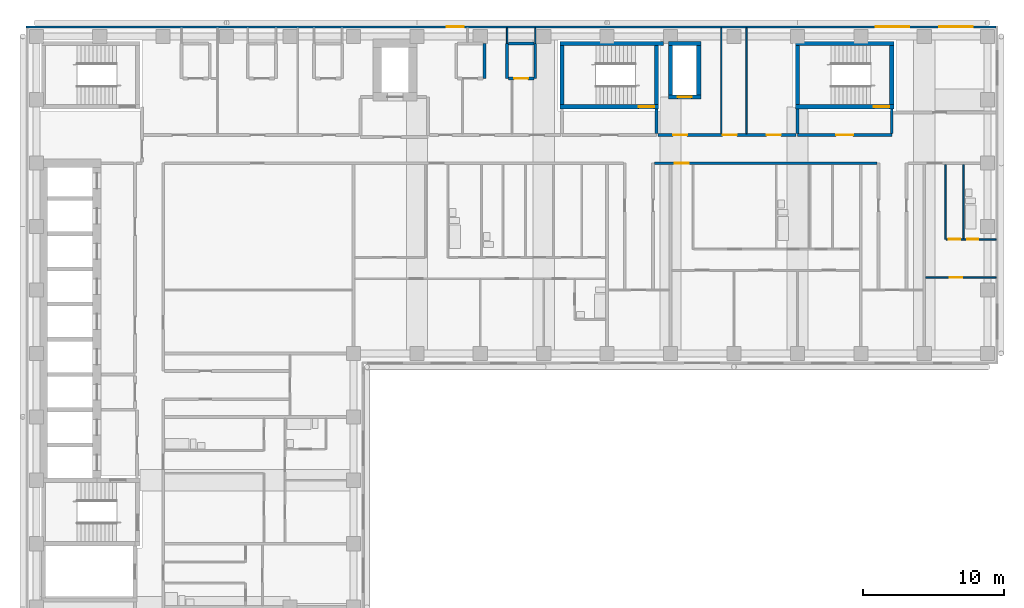
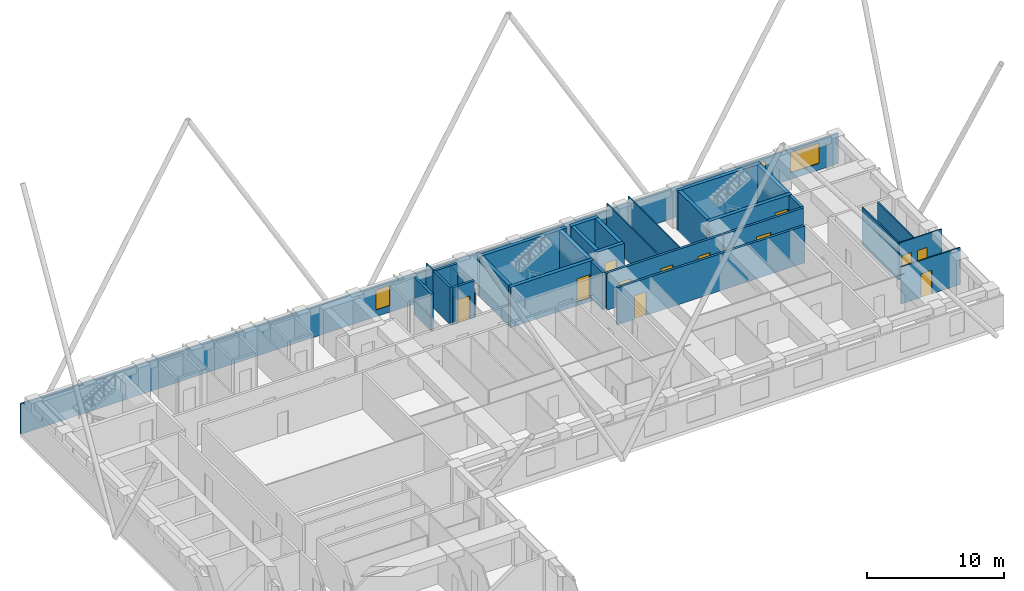
# One storey, part 9 of 13: 32 walls, 12 doors, 3 windows, 15 openings.
"""IFC4 building model written with IfcOpenShell, lengths in metres."""

from ifc_helpers import new_model, si_unit, direction, frame, frame_2d, origin, place, context, subcontext, project, spatial, rectangle, extrude, material, layer, layer_set, type_object, element, fill, save


model = new_model("IFC4")

# Units and contexts
model_context = context("Model", 3, precision=1e-05, world=origin(), true_north=direction((0.0, 1.0)))
body_context = subcontext(model_context, "Body", "Model", "MODEL_VIEW")
ifc_project = project(units=[si_unit("LENGTHUNIT", "METRE"), si_unit("AREAUNIT", "SQUARE_METRE"), si_unit("VOLUMEUNIT", "CUBIC_METRE"), si_unit("PLANEANGLEUNIT", "RADIAN"), si_unit("MASSUNIT", "GRAM", prefix="KILO")], contexts=[model_context])

# Site, building, storey
site_placement = place(None, origin())
site = spatial("IfcSite", under=ifc_project, at=site_placement, CompositionType="ELEMENT")
building_placement = place(site_placement, origin())
building = spatial("IfcBuilding", under=site, at=building_placement, Name="Firuza Court", CompositionType="ELEMENT")
storey_placement = place(building_placement, frame((0.0, 0.0, 162.800048828125)))
storey = spatial("IfcBuildingStorey", under=building, at=storey_placement, Name="L41", CompositionType="ELEMENT", Elevation=162.800048828125)

# Wall
ifc_material_1 = material(Name="Moisture-resistant gypsum board partition")
ifc_layer_1 = layer(ifc_material_1, 0.10009765625)
ifc_layer_set_1 = layer_set([ifc_layer_1], Name="Moisture-resistant gypsum board partition")
wall_type_1 = type_object("IfcWallType", Name="Bathroom partition 100", PredefinedType="PLUMBINGWALL", material=ifc_layer_set_1)
wall_1_placement = place(storey_placement, frame((65.800048828125, 44.14990234375, 0.0), z_axis=(0.0, 0.0, 1.0), x_axis=(0.0, 1.0, 0.0)))
element("IfcWall", 1, at=wall_1_placement, inside=storey, type_object=wall_type_1, Name="Bathroom partition 100 L41", PredefinedType="PLUMBINGWALL", context=body_context, shape_type="SweptSolid", body=[
    extrude(rectangle(XDim=5.25, YDim=0.10009765625, at=frame_2d((2.625, 0.0))), origin(), (0.0, 0.0, 1.0), 3.300048828125),
])

# Wall, opening, door
ifc_material_2 = material(Name="Concrete C60/75", Category="concrete")
ifc_layer_2 = layer(ifc_material_2, 0.300048828125)
ifc_layer_set_2 = layer_set([ifc_layer_2], Name="Concrete C60/75")
wall_type_2 = type_object("IfcWallType", Name="Core wall 300 C60/75", PredefinedType="SHEAR", material=ifc_layer_set_2)
wall_2_placement = place(storey_placement, frame((37.14990234375, 53.5, -0.300048828125), z_axis=(0.0, 0.0, 1.0), x_axis=(1.0, 0.0, 0.0)))
wall_2 = element("IfcWall", 2, at=wall_2_placement, inside=storey, type_object=wall_type_2, Name="Core wall stair L41", PredefinedType="SHEAR", context=body_context, shape_type="SweptSolid", body=[
    extrude(rectangle(XDim=7.0, YDim=0.300048828125, at=frame_2d((3.5, 0.0))), origin(), (0.0, 0.0, 1.0), 3.60009765625),
])
opening_1_placement = place(wall_2_placement, frame((5.580078125, 0.0, 0.300048828125)))
opening_1 = element("IfcOpeningElement", 3, at=opening_1_placement, cuts=wall_2, Name="Opening D41012", PredefinedType="OPENING", context=body_context, shape_type="SweptSolid", body=[
    extrude(rectangle(XDim=1.10009765625, YDim=2.10009765625, at=frame_2d((0.550048828125, 1.050048828125))), frame((0.0, 0.162109375, 0.0), z_axis=(0.0, -1.0, 0.0), x_axis=(1.0, 0.0, 0.0)), (0.0, 0.0, 1.0), 0.323974609375),
])
ifc_material_3 = material(Name="Timber door leaf in hardwood frame", Category="wood")
door_type_1 = type_object("IfcDoorType", Name="Stair door 1100", OperationType="SINGLE_SWING_LEFT", PredefinedType="DOOR", material=ifc_material_3)
door_1_placement = place(opening_1_placement, origin())
door_1 = element("IfcDoor", 4, at=door_1_placement, inside=storey, type_object=door_type_1, Name="Stair door S1", OperationType="SINGLE_SWING_RIGHT", OverallHeight=2.10009765625, OverallWidth=1.10009765625, PredefinedType="DOOR", context=body_context, shape_type="SweptSolid", body=[
    extrude(rectangle(XDim=1.10009765625, YDim=2.10009765625, at=frame_2d((0.550048828125, 1.050048828125))), frame((0.0, 0.02490234375, 0.0), z_axis=(0.0, -1.0, 0.0), x_axis=(1.0, 0.0, 0.0)), (0.0, 0.0, 1.0), 0.050048828125),
])
fill(opening_1, door_1)

# Walls
wall_3_placement = place(storey_placement, frame((37.14990234375, 58.0, -0.300048828125), z_axis=(0.0, 0.0, 1.0), x_axis=(1.0, 0.0, 0.0)))
element("IfcWall", 5, at=wall_3_placement, inside=storey, type_object=wall_type_2, Name="Core wall stair L41", PredefinedType="SHEAR", context=body_context, shape_type="SweptSolid", body=[
    extrude(rectangle(XDim=7.35009765625, YDim=0.300048828125, at=frame_2d((3.675048828125, 0.0))), origin(), (0.0, 0.0, 1.0), 3.60009765625),
])
for number, where, z_axis, x_axis, name in (
    (6, (37.300048828125, 53.64990234375, -0.300048828125), (0.0, 0.0, 1.0), (0.0, 1.0, 0.0), "Core wall stair L41"),
    (7, (44.0, 53.64990234375, -0.300048828125), (0.0, 0.0, 1.0), (0.0, 1.0, 0.0), "Core wall stair L41"),
):
    element("IfcWall", number, at=place(storey_placement, frame(where, z_axis=z_axis, x_axis=x_axis)), inside=storey, type_object=wall_type_2, Name=name, PredefinedType="SHEAR", context=body_context, shape_type="SweptSolid", body=[
        extrude(rectangle(XDim=4.2001953125, YDim=0.300048828125, at=frame_2d((2.10009765625, 0.0))), origin(), (0.0, 0.0, 1.0), 3.60009765625),
    ])

# Wall, opening, door
wall_4_placement = place(storey_placement, frame((44.85009765625, 54.199951171875, -0.300048828125), z_axis=(0.0, 0.0, 1.0), x_axis=(1.0, 0.0, 0.0)))
wall_4 = element("IfcWall", 8, at=wall_4_placement, inside=storey, type_object=wall_type_2, Name="Core wall riser L41", PredefinedType="SHEAR", context=body_context, shape_type="SweptSolid", body=[
    extrude(rectangle(XDim=2.2998046875, YDim=0.300048828125, at=frame_2d((1.14990234375, 0.0))), origin(), (0.0, 0.0, 1.0), 3.60009765625),
])
opening_2_placement = place(wall_4_placement, frame((0.64990234375, 0.0, 0.300048828125)))
opening_2 = element("IfcOpeningElement", 9, at=opening_2_placement, cuts=wall_4, Name="Opening D41010", PredefinedType="OPENING", context=body_context, shape_type="SweptSolid", body=[
    extrude(rectangle(XDim=1.0, YDim=2.10009765625, at=frame_2d((0.5, 1.050048828125))), frame((0.0, 0.162109375, 0.0), z_axis=(0.0, -1.0, 0.0), x_axis=(1.0, 0.0, 0.0)), (0.0, 0.0, 1.0), 0.323974609375),
])
ifc_material_4 = material(Name="Timber door leaf in hardwood frame", Category="wood")
door_type_2 = type_object("IfcDoorType", Name="Riser door 1000", OperationType="SINGLE_SWING_LEFT", PredefinedType="DOOR", material=ifc_material_4)
door_2_placement = place(opening_2_placement, origin())
door_2 = element("IfcDoor", 10, at=door_2_placement, inside=storey, type_object=door_type_2, Name="Riser door R3", OperationType="SINGLE_SWING_LEFT", OverallHeight=2.10009765625, OverallWidth=1.0, PredefinedType="DOOR", context=body_context, shape_type="SweptSolid", body=[
    extrude(rectangle(XDim=1.0, YDim=2.10009765625, at=frame_2d((0.5, 1.050048828125))), frame((0.0, 0.02490234375, 0.0), z_axis=(0.0, -1.0, 0.0), x_axis=(1.0, 0.0, 0.0)), (0.0, 0.0, 1.0), 0.050048828125),
])
fill(opening_2, door_2)

# Walls
wall_5_placement = place(storey_placement, frame((44.85009765625, 58.0, -0.300048828125), z_axis=(0.0, 0.0, 1.0), x_axis=(1.0, 0.0, 0.0)))
element("IfcWall", 11, at=wall_5_placement, inside=storey, type_object=wall_type_2, Name="Core wall riser L41", PredefinedType="SHEAR", context=body_context, shape_type="SweptSolid", body=[
    extrude(rectangle(XDim=2.2998046875, YDim=0.300048828125, at=frame_2d((1.14990234375, 0.0))), origin(), (0.0, 0.0, 1.0), 3.60009765625),
])
for number, where, z_axis, x_axis, name in (
    (12, (45.0, 54.35009765625, -0.300048828125), (0.0, 0.0, 1.0), (0.0, 1.0, 0.0), "Core wall riser L41"),
    (13, (47.0, 54.35009765625, -0.300048828125), (0.0, 0.0, 1.0), (0.0, 1.0, 0.0), "Core wall riser L41"),
):
    element("IfcWall", number, at=place(storey_placement, frame(where, z_axis=z_axis, x_axis=x_axis)), inside=storey, type_object=wall_type_2, Name=name, PredefinedType="SHEAR", context=body_context, shape_type="SweptSolid", body=[
        extrude(rectangle(XDim=3.5, YDim=0.300048828125, at=frame_2d((1.75, 0.0))), origin(), (0.0, 0.0, 1.0), 3.60009765625),
    ])

# Wall, opening, door
wall_6_placement = place(storey_placement, frame((53.85009765625, 53.5, -0.300048828125), z_axis=(0.0, 0.0, 1.0), x_axis=(1.0, 0.0, 0.0)))
wall_6 = element("IfcWall", 14, at=wall_6_placement, inside=storey, type_object=wall_type_2, Name="Core wall stair L41", PredefinedType="SHEAR", context=body_context, shape_type="SweptSolid", body=[
    extrude(rectangle(XDim=7.0, YDim=0.300048828125, at=frame_2d((3.5, 0.0))), origin(), (0.0, 0.0, 1.0), 3.60009765625),
])
opening_3_placement = place(wall_6_placement, frame((5.580078125, 0.0, 0.300048828125)))
opening_3 = element("IfcOpeningElement", 15, at=opening_3_placement, cuts=wall_6, Name="Opening D41016", PredefinedType="OPENING", context=body_context, shape_type="SweptSolid", body=[
    extrude(rectangle(XDim=1.10009765625, YDim=2.10009765625, at=frame_2d((0.550048828125, 1.050048828125))), frame((0.0, 0.162109375, 0.0), z_axis=(0.0, -1.0, 0.0), x_axis=(1.0, 0.0, 0.0)), (0.0, 0.0, 1.0), 0.323974609375),
])
door_3_placement = place(opening_3_placement, origin())
door_3 = element("IfcDoor", 16, at=door_3_placement, inside=storey, type_object=door_type_1, Name="Stair door S4", OperationType="SINGLE_SWING_RIGHT", OverallHeight=2.10009765625, OverallWidth=1.10009765625, PredefinedType="DOOR", context=body_context, shape_type="SweptSolid", body=[
    extrude(rectangle(XDim=1.10009765625, YDim=2.10009765625, at=frame_2d((0.550048828125, 1.050048828125))), frame((0.0, 0.02490234375, 0.0), z_axis=(0.0, -1.0, 0.0), x_axis=(1.0, 0.0, 0.0)), (0.0, 0.0, 1.0), 0.050048828125),
])
fill(opening_3, door_3)

# Walls
wall_7_placement = place(storey_placement, frame((53.85009765625, 58.0, -0.300048828125), z_axis=(0.0, 0.0, 1.0), x_axis=(1.0, 0.0, 0.0)))
element("IfcWall", 17, at=wall_7_placement, inside=storey, type_object=wall_type_2, Name="Core wall stair L41", PredefinedType="SHEAR", context=body_context, shape_type="SweptSolid", body=[
    extrude(rectangle(XDim=7.0, YDim=0.300048828125, at=frame_2d((3.5, 0.0))), origin(), (0.0, 0.0, 1.0), 3.60009765625),
])
for number, where, z_axis, x_axis, name in (
    (18, (54.0, 53.64990234375, -0.300048828125), (0.0, 0.0, 1.0), (0.0, 1.0, 0.0), "Core wall stair L41"),
    (19, (60.699951171875, 53.64990234375, -0.300048828125), (0.0, 0.0, 1.0), (0.0, 1.0, 0.0), "Core wall stair L41"),
):
    element("IfcWall", number, at=place(storey_placement, frame(where, z_axis=z_axis, x_axis=x_axis)), inside=storey, type_object=wall_type_2, Name=name, PredefinedType="SHEAR", context=body_context, shape_type="SweptSolid", body=[
        extrude(rectangle(XDim=4.2001953125, YDim=0.300048828125, at=frame_2d((2.10009765625, 0.0))), origin(), (0.0, 0.0, 1.0), 3.60009765625),
    ])

# Wall, opening, door
ifc_material_5 = material(Name="Blockwork, plastered both sides", Category="masonry")
ifc_layer_3 = layer(ifc_material_5, 0.199951171875)
ifc_layer_set_3 = layer_set([ifc_layer_3], Name="Blockwork, plastered both sides")
wall_type_3 = type_object("IfcWallType", Name="Corridor wall 200", PredefinedType="PARTITIONING", material=ifc_layer_set_3)
wall_8_placement = place(storey_placement, frame((43.85009765625, 49.5, 0.0), z_axis=(0.0, 0.0, 1.0), x_axis=(1.0, 0.0, 0.0)))
wall_8 = element("IfcWall", 20, at=wall_8_placement, inside=storey, type_object=wall_type_3, Name="Corridor wall 200 L41", PredefinedType="PARTITIONING", context=body_context, shape_type="SweptSolid", body=[
    extrude(rectangle(XDim=15.7998046875, YDim=0.199951171875, at=frame_2d((7.89990234375, 0.0))), origin(), (0.0, 0.0, 1.0), 3.300048828125),
])
opening_4_placement = place(wall_8_placement, frame((1.449951171875, 0.0, 0.0)))
opening_4 = element("IfcOpeningElement", 21, at=opening_4_placement, cuts=wall_8, Name="Opening D41068", PredefinedType="OPENING", context=body_context, shape_type="SweptSolid", body=[
    extrude(rectangle(XDim=1.0, YDim=2.10009765625, at=frame_2d((0.5, 1.050048828125))), frame((0.0, 0.11181640625, 0.0), z_axis=(0.0, -1.0, 0.0), x_axis=(1.0, 0.0, 0.0)), (0.0, 0.0, 1.0), 0.223876953125),
])
ifc_material_6 = material(Name="Timber door leaf in hardwood frame", Category="wood")
door_type_3 = type_object("IfcDoorType", Name="Flat entrance door 1000", OperationType="SINGLE_SWING_LEFT", PredefinedType="DOOR", material=ifc_material_6)
door_4_placement = place(opening_4_placement, origin())
door_4 = element("IfcDoor", 22, at=door_4_placement, inside=storey, type_object=door_type_3, Name="Flat entrance door", OperationType="SINGLE_SWING_LEFT", OverallHeight=2.10009765625, OverallWidth=1.0, PredefinedType="DOOR", context=body_context, shape_type="SweptSolid", body=[
    extrude(rectangle(XDim=1.0, YDim=2.10009765625, at=frame_2d((0.5, 1.050048828125))), frame((0.0, 0.02490234375, 0.0), z_axis=(0.0, -1.0, 0.0), x_axis=(1.0, 0.0, 0.0)), (0.0, 0.0, 1.0), 0.050048828125),
])
fill(opening_4, door_4)

# Wall, openings, doors
wall_9_placement = place(storey_placement, frame((44.10009765625, 51.5, 0.0), z_axis=(0.0, 0.0, 1.0), x_axis=(1.0, 0.0, 0.0)))
wall_9 = element("IfcWall", 23, at=wall_9_placement, inside=storey, type_object=wall_type_3, Name="Corridor wall 200 L41", PredefinedType="PARTITIONING", context=body_context, shape_type="SweptSolid", body=[
    extrude(rectangle(XDim=9.7998046875, YDim=0.199951171875, at=frame_2d((4.89990234375, 0.0))), origin(), (0.0, 0.0, 1.0), 3.300048828125),
])
opening_5_placement = place(wall_9_placement, frame((7.72509765625, 0.0, 0.0)))
opening_5 = element("IfcOpeningElement", 24, at=opening_5_placement, cuts=wall_9, Name="Opening D41076", PredefinedType="OPENING", context=body_context, shape_type="SweptSolid", body=[
    extrude(rectangle(XDim=1.0, YDim=2.10009765625, at=frame_2d((0.5, 1.050048828125))), frame((0.0, 0.11181640625, 0.0), z_axis=(0.0, -1.0, 0.0), x_axis=(1.0, 0.0, 0.0)), (0.0, 0.0, 1.0), 0.223876953125),
])
opening_6_placement = place(wall_9_placement, frame((1.074951171875, 0.0, 0.0)))
opening_6 = element("IfcOpeningElement", 25, at=opening_6_placement, cuts=wall_9, Name="Opening D41077", PredefinedType="OPENING", context=body_context, shape_type="SweptSolid", body=[
    extrude(rectangle(XDim=1.0, YDim=2.10009765625, at=frame_2d((0.5, 1.050048828125))), frame((0.0, 0.11181640625, 0.0), z_axis=(0.0, -1.0, 0.0), x_axis=(1.0, 0.0, 0.0)), (0.0, 0.0, 1.0), 0.223876953125),
])
opening_7_placement = place(wall_9_placement, frame((4.60009765625, 0.0, 0.0)))
opening_7 = element("IfcOpeningElement", 26, at=opening_7_placement, cuts=wall_9, Name="Opening D41078", PredefinedType="OPENING", context=body_context, shape_type="SweptSolid", body=[
    extrude(rectangle(XDim=1.0, YDim=2.10009765625, at=frame_2d((0.5, 1.050048828125))), frame((0.0, 0.11181640625, 0.0), z_axis=(0.0, -1.0, 0.0), x_axis=(1.0, 0.0, 0.0)), (0.0, 0.0, 1.0), 0.223876953125),
])
ifc_material_7 = material(Name="Timber door leaf in hardwood frame", Category="wood")
door_type_4 = type_object("IfcDoorType", Name="Store door 1000", OperationType="SINGLE_SWING_LEFT", PredefinedType="DOOR", material=ifc_material_7)
door_5_placement = place(opening_5_placement, origin())
door_5 = element("IfcDoor", 27, at=door_5_placement, inside=storey, type_object=door_type_4, Name="Cleaner's store door", OperationType="SINGLE_SWING_LEFT", OverallHeight=2.10009765625, OverallWidth=1.0, PredefinedType="DOOR", context=body_context, shape_type="SweptSolid", body=[
    extrude(rectangle(XDim=1.0, YDim=2.10009765625, at=frame_2d((0.5, 1.050048828125))), frame((0.0, 0.02490234375, 0.0), z_axis=(0.0, -1.0, 0.0), x_axis=(1.0, 0.0, 0.0)), (0.0, 0.0, 1.0), 0.050048828125),
])
fill(opening_5, door_5)
door_6_placement = place(opening_6_placement, origin())
door_6 = element("IfcDoor", 28, at=door_6_placement, inside=storey, type_object=door_type_4, Name="Comms room door", OperationType="SINGLE_SWING_LEFT", OverallHeight=2.10009765625, OverallWidth=1.0, PredefinedType="DOOR", context=body_context, shape_type="SweptSolid", body=[
    extrude(rectangle(XDim=1.0, YDim=2.10009765625, at=frame_2d((0.5, 1.050048828125))), frame((0.0, 0.02490234375, 0.0), z_axis=(0.0, -1.0, 0.0), x_axis=(1.0, 0.0, 0.0)), (0.0, 0.0, 1.0), 0.050048828125),
])
fill(opening_6, door_6)
door_7_placement = place(opening_7_placement, origin())
door_7 = element("IfcDoor", 29, at=door_7_placement, inside=storey, type_object=door_type_4, Name="Bicycle store door", OperationType="SINGLE_SWING_LEFT", OverallHeight=2.10009765625, OverallWidth=1.0, PredefinedType="DOOR", context=body_context, shape_type="SweptSolid", body=[
    extrude(rectangle(XDim=1.0, YDim=2.10009765625, at=frame_2d((0.5, 1.050048828125))), frame((0.0, 0.02490234375, 0.0), z_axis=(0.0, -1.0, 0.0), x_axis=(1.0, 0.0, 0.0)), (0.0, 0.0, 1.0), 0.050048828125),
])
fill(opening_7, door_7)

# Wall, opening, door
ifc_material_8 = material(Name="Timber stud partition, plasterboard both sides", Category="wood")
ifc_layer_4 = layer(ifc_material_8, 0.10009765625)
ifc_layer_set_4 = layer_set([ifc_layer_4], Name="Timber stud partition, plasterboard both sides")
wall_type_4 = type_object("IfcWallType", Name="Partition wall 100", PredefinedType="PARTITIONING", material=ifc_layer_set_4)
wall_10_placement = place(storey_placement, frame((63.10009765625, 41.39990234375, 0.0), z_axis=(0.0, 0.0, 1.0), x_axis=(1.0, 0.0, 0.0)))
wall_10 = element("IfcWall", 30, at=wall_10_placement, inside=storey, type_object=wall_type_4, Name="Partition wall 100 L41", PredefinedType="PARTITIONING", context=body_context, shape_type="SweptSolid", body=[
    extrude(rectangle(XDim=5.0, YDim=0.10009765625, at=frame_2d((2.5, 0.0))), origin(), (0.0, 0.0, 1.0), 3.300048828125),
])
opening_8_placement = place(wall_10_placement, frame((1.699951171875, 0.0, 0.0)))
opening_8 = element("IfcOpeningElement", 31, at=opening_8_placement, cuts=wall_10, Name="Opening D41049", PredefinedType="OPENING", context=body_context, shape_type="SweptSolid", body=[
    extrude(rectangle(XDim=0.89990234375, YDim=2.10009765625, at=frame_2d((0.449951171875, 1.050048828125))), frame((0.0, 0.06201171875, 0.0), z_axis=(0.0, -1.0, 0.0), x_axis=(1.0, 0.0, 0.0)), (0.0, 0.0, 1.0), 0.1240234375),
])
ifc_material_9 = material(Name="Timber door leaf in hardwood frame", Category="wood")
door_type_5 = type_object("IfcDoorType", Name="Room door 900", OperationType="SINGLE_SWING_LEFT", PredefinedType="DOOR", material=ifc_material_9)
door_8_placement = place(opening_8_placement, frame((0.89990234375, 0.0, 0.0), z_axis=(0.0, 0.0, 1.0), x_axis=(-1.0, 0.0, 0.0)))
door_8 = element("IfcDoor", 32, at=door_8_placement, inside=storey, type_object=door_type_5, Name="Studio room door", OperationType="SINGLE_SWING_RIGHT", OverallHeight=2.10009765625, OverallWidth=0.89990234375, PredefinedType="DOOR", context=body_context, shape_type="SweptSolid", body=[
    extrude(rectangle(XDim=0.89990234375, YDim=2.10009765625, at=frame_2d((0.449951171875, 1.050048828125))), frame((0.0, 0.02490234375, 0.0), z_axis=(0.0, -1.0, 0.0), x_axis=(1.0, 0.0, 0.0)), (0.0, 0.0, 1.0), 0.050048828125),
])
fill(opening_8, door_8)

# Wall
wall_11_placement = place(storey_placement, frame((64.5, 44.10009765625, 0.0), z_axis=(0.0, 0.0, 1.0), x_axis=(0.0, 1.0, 0.0)))
element("IfcWall", 33, at=wall_11_placement, inside=storey, type_object=wall_type_4, Name="Partition wall 100 L41", PredefinedType="PARTITIONING", context=body_context, shape_type="SweptSolid", body=[
    extrude(rectangle(XDim=5.2998046875, YDim=0.10009765625, at=frame_2d((2.64990234375, 0.0))), origin(), (0.0, 0.0, 1.0), 3.300048828125),
])

# Wall, openings, doors
wall_12_placement = place(storey_placement, frame((64.550048828125, 44.10009765625, 0.0), z_axis=(0.0, 0.0, 1.0), x_axis=(1.0, 0.0, 0.0)))
wall_12 = element("IfcWall", 34, at=wall_12_placement, inside=storey, type_object=wall_type_4, Name="Partition wall 100 L41", PredefinedType="PARTITIONING", context=body_context, shape_type="SweptSolid", body=[
    extrude(rectangle(XDim=3.550048828125, YDim=0.10009765625, at=frame_2d((1.77490234375, 0.0))), origin(), (0.0, 0.0, 1.0), 3.300048828125),
])
opening_9_placement = place(wall_12_placement, frame((1.5, 0.0, 0.0)))
opening_9 = element("IfcOpeningElement", 35, at=opening_9_placement, cuts=wall_12, Name="Opening D41064", PredefinedType="OPENING", context=body_context, shape_type="SweptSolid", body=[
    extrude(rectangle(XDim=0.800048828125, YDim=2.10009765625, at=frame_2d((0.39990234375, 1.050048828125))), frame((0.0, 0.06201171875, 0.0), z_axis=(0.0, -1.0, 0.0), x_axis=(1.0, 0.0, 0.0)), (0.0, 0.0, 1.0), 0.1240234375),
])
opening_10_placement = place(wall_12_placement, frame((0.199951171875, 0.0, 0.0)))
opening_10 = element("IfcOpeningElement", 36, at=opening_10_placement, cuts=wall_12, Name="Opening D41065", PredefinedType="OPENING", context=body_context, shape_type="SweptSolid", body=[
    extrude(rectangle(XDim=0.800048828125, YDim=2.10009765625, at=frame_2d((0.39990234375, 1.050048828125))), frame((0.0, 0.06201171875, 0.0), z_axis=(0.0, -1.0, 0.0), x_axis=(1.0, 0.0, 0.0)), (0.0, 0.0, 1.0), 0.1240234375),
])
ifc_material_10 = material(Name="Timber door leaf in hardwood frame", Category="wood")
door_type_6 = type_object("IfcDoorType", Name="Bathroom door 800", OperationType="SINGLE_SWING_LEFT", PredefinedType="DOOR", material=ifc_material_10)
door_9_placement = place(opening_9_placement, origin())
door_9 = element("IfcDoor", 37, at=door_9_placement, inside=storey, type_object=door_type_6, Name="Bathroom door", OperationType="SINGLE_SWING_LEFT", OverallHeight=2.10009765625, OverallWidth=0.800048828125, PredefinedType="DOOR", context=body_context, shape_type="SweptSolid", body=[
    extrude(rectangle(XDim=0.800048828125, YDim=2.10009765625, at=frame_2d((0.39990234375, 1.050048828125))), frame((0.0, 0.02490234375, 0.0), z_axis=(0.0, -1.0, 0.0), x_axis=(1.0, 0.0, 0.0)), (0.0, 0.0, 1.0), 0.050048828125),
])
fill(opening_9, door_9)
ifc_material_11 = material(Name="Timber door leaf in hardwood frame", Category="wood")
door_type_7 = type_object("IfcDoorType", Name="Room door 800", OperationType="SINGLE_SWING_LEFT", PredefinedType="DOOR", material=ifc_material_11)
door_10_placement = place(opening_10_placement, origin())
door_10 = element("IfcDoor", 38, at=door_10_placement, inside=storey, type_object=door_type_7, Name="Kitchen door", OperationType="SINGLE_SWING_LEFT", OverallHeight=2.10009765625, OverallWidth=0.800048828125, PredefinedType="DOOR", context=body_context, shape_type="SweptSolid", body=[
    extrude(rectangle(XDim=0.800048828125, YDim=2.10009765625, at=frame_2d((0.39990234375, 1.050048828125))), frame((0.0, 0.02490234375, 0.0), z_axis=(0.0, -1.0, 0.0), x_axis=(1.0, 0.0, 0.0)), (0.0, 0.0, 1.0), 0.050048828125),
])
fill(opening_10, door_10)

# Walls
for number, where, z_axis, x_axis, name in (
    (39, (48.60009765625, 51.60009765625, 0.0), (0.0, 0.0, 1.0), (0.0, 1.0, 0.0), "Partition wall 100 L41"),
    (40, (50.39990234375, 51.60009765625, 0.0), (0.0, 0.0, 1.0), (0.0, 1.0, 0.0), "Partition wall 100 L41"),
):
    element("IfcWall", number, at=place(storey_placement, frame(where, z_axis=z_axis, x_axis=x_axis)), inside=storey, type_object=wall_type_4, Name=name, PredefinedType="PARTITIONING", context=body_context, shape_type="SweptSolid", body=[
        extrude(rectangle(XDim=7.5, YDim=0.10009765625, at=frame_2d((3.75, 0.0))), origin(), (0.0, 0.0, 1.0), 3.300048828125),
    ])
wall_13_placement = place(storey_placement, frame((33.39990234375, 58.0, 0.0), z_axis=(0.0, 0.0, 1.0), x_axis=(0.0, 1.0, 0.0)))
element("IfcWall", 41, at=wall_13_placement, inside=storey, type_object=wall_type_4, Name="Partition wall 100 L41", PredefinedType="PARTITIONING", context=body_context, shape_type="SweptSolid", body=[
    extrude(rectangle(XDim=1.10009765625, YDim=0.10009765625, at=frame_2d((0.550048828125, 0.0))), origin(), (0.0, 0.0, 1.0), 3.300048828125),
])
wall_14_placement = place(storey_placement, frame((35.39990234375, 58.0, 0.0), z_axis=(0.0, 0.0, 1.0), x_axis=(0.0, 1.0, 0.0)))
element("IfcWall", 42, at=wall_14_placement, inside=storey, type_object=wall_type_4, Name="Partition wall 100 L41", PredefinedType="PARTITIONING", context=body_context, shape_type="SweptSolid", body=[
    extrude(rectangle(XDim=1.10009765625, YDim=0.10009765625, at=frame_2d((0.550048828125, 0.0))), origin(), (0.0, 0.0, 1.0), 2.39990234375),
])
ifc_material_12 = material(Name="Blockwork, fire-rated", Category="masonry")
ifc_layer_5 = layer(ifc_material_12, 0.199951171875)
ifc_layer_set_5 = layer_set([ifc_layer_5], Name="Blockwork, fire-rated")
wall_type_5 = type_object("IfcWallType", Name="Plant room wall 200", PredefinedType="PARTITIONING", material=ifc_layer_set_5)
for number, where, z_axis, x_axis, name in (
    (43, (31.800048828125, 55.5, 0.0), (0.0, 0.0, 1.0), (0.0, 1.0, 0.0), "Plant room wall 200 L41"),
    (44, (33.39990234375, 55.5, 0.0), (0.0, 0.0, 1.0), (0.0, 1.0, 0.0), "Plant room wall 200 L41"),
):
    element("IfcWall", number, at=place(storey_placement, frame(where, z_axis=z_axis, x_axis=x_axis)), inside=storey, type_object=wall_type_5, Name=name, PredefinedType="PARTITIONING", context=body_context, shape_type="SweptSolid", body=[
        extrude(rectangle(XDim=2.5, YDim=0.199951171875, at=frame_2d((1.25, 0.0))), origin(), (0.0, 0.0, 1.0), 3.300048828125),
    ])

# Wall, opening, door
wall_15_placement = place(storey_placement, frame((33.5, 55.5, 0.0), z_axis=(0.0, 0.0, 1.0), x_axis=(1.0, 0.0, 0.0)))
wall_15 = element("IfcWall", 45, at=wall_15_placement, inside=storey, type_object=wall_type_5, Name="Plant room wall 200 L41", PredefinedType="PARTITIONING", context=body_context, shape_type="SweptSolid", body=[
    extrude(rectangle(XDim=1.800048828125, YDim=0.199951171875, at=frame_2d((0.89990234375, 0.0))), origin(), (0.0, 0.0, 1.0), 3.300048828125),
])
opening_11_placement = place(wall_15_placement, frame((0.39990234375, 0.0, 0.0)))
opening_11 = element("IfcOpeningElement", 46, at=opening_11_placement, cuts=wall_15, Name="Opening D41084", PredefinedType="OPENING", context=body_context, shape_type="SweptSolid", body=[
    extrude(rectangle(XDim=1.0, YDim=2.10009765625, at=frame_2d((0.5, 1.050048828125))), frame((0.0, 0.11181640625, 0.0), z_axis=(0.0, -1.0, 0.0), x_axis=(1.0, 0.0, 0.0)), (0.0, 0.0, 1.0), 0.223876953125),
])
door_11_placement = place(opening_11_placement, origin())
door_11 = element("IfcDoor", 47, at=door_11_placement, inside=storey, type_object=door_type_2, Name="Duct riser door", OperationType="SINGLE_SWING_LEFT", OverallHeight=2.10009765625, OverallWidth=1.0, PredefinedType="DOOR", context=body_context, shape_type="SweptSolid", body=[
    extrude(rectangle(XDim=1.0, YDim=2.10009765625, at=frame_2d((0.5, 1.050048828125))), frame((0.0, 0.02490234375, 0.0), z_axis=(0.0, -1.0, 0.0), x_axis=(1.0, 0.0, 0.0)), (0.0, 0.0, 1.0), 0.050048828125),
])
fill(opening_11, door_11)

# Walls
wall_16_placement = place(storey_placement, frame((35.39990234375, 55.5, 0.0), z_axis=(0.0, 0.0, 1.0), x_axis=(0.0, 1.0, 0.0)))
element("IfcWall", 48, at=wall_16_placement, inside=storey, type_object=wall_type_5, Name="Plant room wall 200 L41", PredefinedType="PARTITIONING", context=body_context, shape_type="SweptSolid", body=[
    extrude(rectangle(XDim=2.5, YDim=0.199951171875, at=frame_2d((1.25, 0.0))), origin(), (0.0, 0.0, 1.0), 2.39990234375),
])
wall_17_placement = place(storey_placement, frame((33.5, 58.0, 0.0), z_axis=(0.0, 0.0, 1.0), x_axis=(1.0, 0.0, 0.0)))
element("IfcWall", 49, at=wall_17_placement, inside=storey, type_object=wall_type_5, Name="Plant room wall 200 L41", PredefinedType="PARTITIONING", context=body_context, shape_type="SweptSolid", body=[
    extrude(rectangle(XDim=1.800048828125, YDim=0.199951171875, at=frame_2d((0.89990234375, 0.0))), origin(), (0.0, 0.0, 1.0), 3.300048828125),
])

# Wall, openings, windows
ifc_material_13 = material(Name="Ceramic tile", Category="ceramic")
ifc_layer_6 = layer(ifc_material_13, 0.02001953125)
ifc_material_14 = material(Name="Mineral wool insulation", Category="insulation")
ifc_layer_7 = layer(ifc_material_14, 0.050048828125)
ifc_material_15 = material(Name="Concrete C40/50 precast", Category="concrete")
ifc_layer_8 = layer(ifc_material_15, 0.080078125)
ifc_layer_set_6 = layer_set([ifc_layer_6, ifc_layer_7, ifc_layer_8], Name="Concrete C40/50 precast")
wall_type_6 = type_object("IfcWallType", Name="Precast cladding wall with turquoise TILE PANEL face 150", PredefinedType="STANDARD", material=ifc_layer_set_6)
wall_18_placement = place(storey_placement, frame((68.10009765625, 59.175048828125, 0.0), z_axis=(0.0, 0.0, 1.0), x_axis=(-1.0, 0.0, 0.0)))
wall_18 = element("IfcWall", 50, at=wall_18_placement, inside=storey, type_object=wall_type_6, Name="Facade wall L41 N", PredefinedType="STANDARD", context=body_context, shape_type="SweptSolid", body=[
    extrude(rectangle(XDim=68.85009765625, YDim=0.14990234375, at=frame_2d((34.425048828125, 0.0))), origin(), (0.0, 0.0, 1.0), 2.699951171875),
])
opening_12_placement = place(wall_18_placement, frame((1.64990234375, 0.0, 0.60009765625)))
opening_12 = element("IfcOpeningElement", 51, at=opening_12_placement, cuts=wall_18, Name="Opening W1", PredefinedType="OPENING", context=body_context, shape_type="SweptSolid", body=[
    extrude(rectangle(XDim=2.39990234375, YDim=1.800048828125, at=frame_2d((1.199951171875, 0.89990234375))), frame((0.0, 0.0869140625, 0.0), z_axis=(0.0, -1.0, 0.0), x_axis=(1.0, 0.0, 0.0)), (0.0, 0.0, 1.0), 0.173828125),
])
opening_13_placement = place(wall_18_placement, frame((6.14990234375, 0.0, 0.60009765625)))
opening_13 = element("IfcOpeningElement", 52, at=opening_13_placement, cuts=wall_18, Name="Opening W1", PredefinedType="OPENING", context=body_context, shape_type="SweptSolid", body=[
    extrude(rectangle(XDim=2.39990234375, YDim=1.800048828125, at=frame_2d((1.199951171875, 0.89990234375))), frame((0.0, 0.0869140625, 0.0), z_axis=(0.0, -1.0, 0.0), x_axis=(1.0, 0.0, 0.0)), (0.0, 0.0, 1.0), 0.173828125),
])
opening_14_placement = place(wall_18_placement, frame((37.77978515625, 0.0, 0.60009765625)))
opening_14 = element("IfcOpeningElement", 53, at=opening_14_placement, cuts=wall_18, Name="Opening W8", PredefinedType="OPENING", context=body_context, shape_type="SweptSolid", body=[
    extrude(rectangle(XDim=1.199951171875, YDim=1.800048828125, at=frame_2d((0.60009765625, 0.89990234375))), frame((0.0, 0.0869140625, 0.0), z_axis=(0.0, -1.0, 0.0), x_axis=(1.0, 0.0, 0.0)), (0.0, 0.0, 1.0), 0.173828125),
])
ifc_material_16 = material(Name="Aluminium frame, triple clear glazing", Category="aluminium")
window_type_1 = type_object("IfcWindowType", Name="Window W1 2400 x 1800", PartitioningType="SINGLE_PANEL", PredefinedType="WINDOW", material=ifc_material_16)
window_1_placement = place(opening_12_placement, origin())
window_1 = element("IfcWindow", 54, at=window_1_placement, inside=storey, type_object=window_type_1, Name="Window L41", OverallHeight=1.800048828125, OverallWidth=2.39990234375, PartitioningType="SINGLE_PANEL", PredefinedType="WINDOW", context=body_context, shape_type="SweptSolid", body=[
    extrude(rectangle(XDim=2.39990234375, YDim=1.800048828125, at=frame_2d((1.199951171875, 0.89990234375))), frame((0.0, 0.030029296875, 0.0), z_axis=(0.0, -1.0, 0.0), x_axis=(1.0, 0.0, 0.0)), (0.0, 0.0, 1.0), 0.06005859375),
])
fill(opening_12, window_1)
window_2_placement = place(opening_13_placement, origin())
window_2 = element("IfcWindow", 55, at=window_2_placement, inside=storey, type_object=window_type_1, Name="Window L41", OverallHeight=1.800048828125, OverallWidth=2.39990234375, PartitioningType="SINGLE_PANEL", PredefinedType="WINDOW", context=body_context, shape_type="SweptSolid", body=[
    extrude(rectangle(XDim=2.39990234375, YDim=1.800048828125, at=frame_2d((1.199951171875, 0.89990234375))), frame((0.0, 0.030029296875, 0.0), z_axis=(0.0, -1.0, 0.0), x_axis=(1.0, 0.0, 0.0)), (0.0, 0.0, 1.0), 0.06005859375),
])
fill(opening_13, window_2)
ifc_material_17 = material(Name="Aluminium frame, triple clear glazing", Category="aluminium")
window_type_2 = type_object("IfcWindowType", Name="Window W8 1200 x 1800", PartitioningType="SINGLE_PANEL", PredefinedType="WINDOW", material=ifc_material_17)
window_3_placement = place(opening_14_placement, origin())
window_3 = element("IfcWindow", 56, at=window_3_placement, inside=storey, type_object=window_type_2, Name="Window L41", OverallHeight=1.800048828125, OverallWidth=1.199951171875, PartitioningType="SINGLE_PANEL", PredefinedType="WINDOW", context=body_context, shape_type="SweptSolid", body=[
    extrude(rectangle(XDim=1.199951171875, YDim=1.800048828125, at=frame_2d((0.60009765625, 0.89990234375))), frame((0.0, 0.030029296875, 0.0), z_axis=(0.0, -1.0, 0.0), x_axis=(1.0, 0.0, 0.0)), (0.0, 0.0, 1.0), 0.06005859375),
])
fill(opening_14, window_3)

# Wall
ifc_layer_9 = layer(ifc_material_12, 0.199951171875)
ifc_layer_set_7 = layer_set([ifc_layer_9], Name="Blockwork, fire-rated")
wall_type_7 = type_object("IfcWallType", Name="Shaft wall 200", PredefinedType="PARTITIONING", material=ifc_layer_set_7)
wall_19_placement = place(storey_placement, frame((44.0, 51.60009765625, 0.0), z_axis=(0.0, 0.0, 1.0), x_axis=(0.0, 1.0, 0.0)))
element("IfcWall", 57, at=wall_19_placement, inside=storey, type_object=wall_type_7, Name="Shaft wall 200 L41", PredefinedType="PARTITIONING", context=body_context, shape_type="SweptSolid", body=[
    extrude(rectangle(XDim=1.72998046875, YDim=0.199951171875, at=frame_2d((0.864990234375, 0.0))), origin(), (0.0, 0.0, 1.0), 3.300048828125),
])

# Wall, opening, door
wall_20_placement = place(storey_placement, frame((54.0, 51.5, 0.0), z_axis=(0.0, 0.0, 1.0), x_axis=(1.0, 0.0, 0.0)))
wall_20 = element("IfcWall", 58, at=wall_20_placement, inside=storey, type_object=wall_type_7, Name="Shaft wall 200 L41", PredefinedType="PARTITIONING", context=body_context, shape_type="SweptSolid", body=[
    extrude(rectangle(XDim=6.699951171875, YDim=0.199951171875, at=frame_2d((3.35009765625, 0.0))), origin(), (0.0, 0.0, 1.0), 3.300048828125),
])
opening_15_placement = place(wall_20_placement, frame((2.75, 0.0, 0.0)))
opening_15 = element("IfcOpeningElement", 59, at=opening_15_placement, cuts=wall_20, Name="Opening D41007", PredefinedType="OPENING", context=body_context, shape_type="SweptSolid", body=[
    extrude(rectangle(XDim=1.199951171875, YDim=2.10009765625, at=frame_2d((0.60009765625, 1.050048828125))), frame((0.0, 0.11181640625, 0.0), z_axis=(0.0, -1.0, 0.0), x_axis=(1.0, 0.0, 0.0)), (0.0, 0.0, 1.0), 0.223876953125),
])
ifc_material_18 = material(Name="Timber door leaf in hardwood frame", Category="wood")
door_type_8 = type_object("IfcDoorType", Name="Lobby door 1200", OperationType="SINGLE_SWING_LEFT", PredefinedType="DOOR", material=ifc_material_18)
door_12_placement = place(opening_15_placement, origin())
door_12 = element("IfcDoor", 60, at=door_12_placement, inside=storey, type_object=door_type_8, Name="Lobby door", OperationType="SINGLE_SWING_LEFT", OverallHeight=2.10009765625, OverallWidth=1.199951171875, PredefinedType="DOOR", context=body_context, shape_type="SweptSolid", body=[
    extrude(rectangle(XDim=1.199951171875, YDim=2.10009765625, at=frame_2d((0.60009765625, 1.050048828125))), frame((0.0, 0.02490234375, 0.0), z_axis=(0.0, -1.0, 0.0), x_axis=(1.0, 0.0, 0.0)), (0.0, 0.0, 1.0), 0.050048828125),
])
fill(opening_15, door_12)

# Walls
wall_21_placement = place(storey_placement, frame((60.699951171875, 51.60009765625, 0.0), z_axis=(0.0, 0.0, 1.0), x_axis=(0.0, 1.0, 0.0)))
element("IfcWall", 61, at=wall_21_placement, inside=storey, type_object=wall_type_7, Name="Shaft wall 200 L41", PredefinedType="PARTITIONING", context=body_context, shape_type="SweptSolid", body=[
    extrude(rectangle(XDim=1.72998046875, YDim=0.199951171875, at=frame_2d((0.864990234375, 0.0))), origin(), (0.0, 0.0, 1.0), 3.300048828125),
])
wall_22_placement = place(storey_placement, frame((54.0, 51.60009765625, 0.0), z_axis=(0.0, 0.0, 1.0), x_axis=(0.0, 1.0, 0.0)))
element("IfcWall", 62, at=wall_22_placement, inside=storey, type_object=wall_type_7, Name="Shaft wall 200 L41", PredefinedType="PARTITIONING", context=body_context, shape_type="SweptSolid", body=[
    extrude(rectangle(XDim=1.72998046875, YDim=0.199951171875, at=frame_2d((0.864990234375, 0.0))), origin(), (0.0, 0.0, 1.0), 2.599853515625),
])

save(model, "model.ifc")
